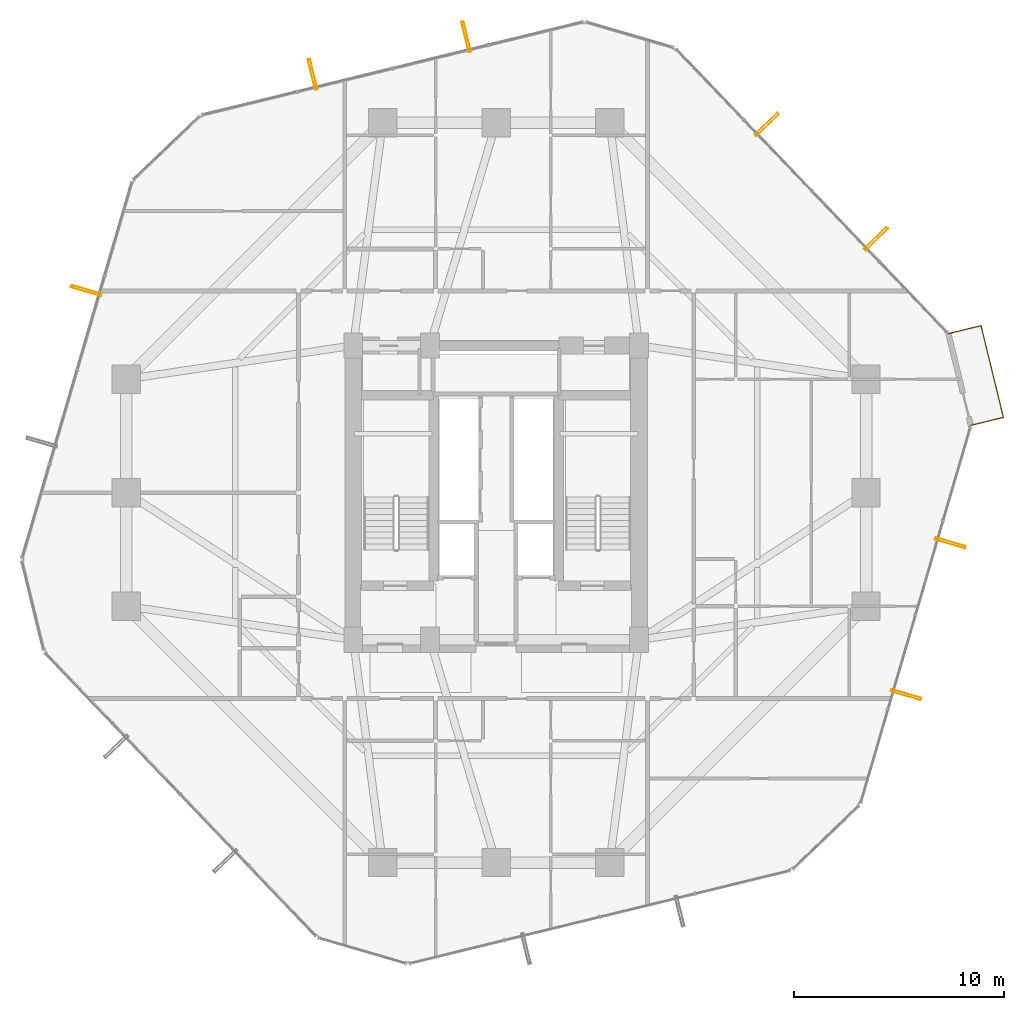
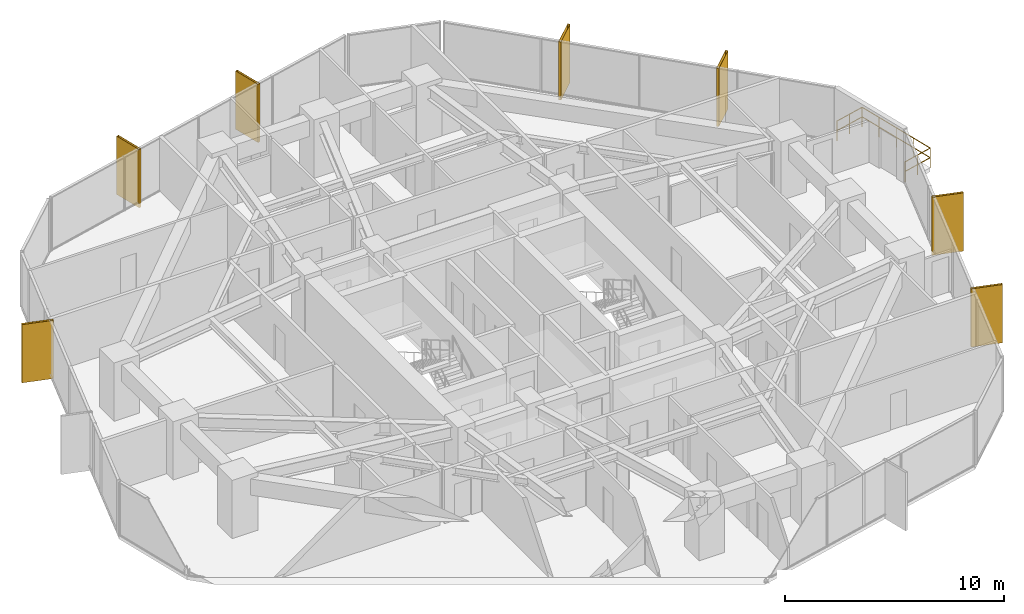
# One storey, part 37 of 37: 7 shading devices, 1 railing.
"""IFC4 building model written with IfcOpenShell, lengths in metres."""

import ifcopenshell
import ifcopenshell.guid

model = None  # the IFC model being written
_history = None  # IfcOwnerHistory: only IFC2X3 demands one
_inside = {}  # id of a spatial element -> (the spatial element, [elements in it])
_under = {}  # id of a project, library or spatial element -> (it, [spatial elements below it])
_declared = {}  # id of a project -> (the project, [libraries it declares])
_typed = {}  # id of a type object -> (the type object, [elements of that type])
_made_of = {}  # id of a material, layer set ... -> (it, [elements and type objects made of it])


def new_model(schema):
    """Start an empty IFC model of exactly this schema.

    Asked for "IFC4X3", IfcOpenShell would pick the latest addendum, in which some entities
    have other attributes; the version numbers below select the first issue.
    IFC2X3 requires an IfcOwnerHistory on every rooted entity: one is made here for all.
    """
    global model, _history
    if schema == "IFC4X3":
        model = ifcopenshell.file(schema_version=(4, 3, 0, 0))
    else:
        model = ifcopenshell.file(schema=schema)
    _inside.clear()
    _under.clear()
    _declared.clear()
    _typed.clear()
    _made_of.clear()
    _history = None
    if model.schema == "IFC2X3":
        org = make("IfcOrganization", Name="unknown")
        user = make(
            "IfcPersonAndOrganization",
            ThePerson=make("IfcPerson", FamilyName="unknown"),
            TheOrganization=org,
        )
        app = make(
            "IfcApplication",
            ApplicationDeveloper=org,
            Version="unknown",
            ApplicationFullName="unknown",
            ApplicationIdentifier="unknown",
        )
        _history = make(
            "IfcOwnerHistory",
            OwningUser=user,
            OwningApplication=app,
            ChangeAction="ADDED",
            CreationDate=0,
        )
    return model


def make(cls, **values):
    """One entity of the class cls with the attributes given. An attribute that is None is left unset."""
    return model.create_entity(
        cls, **{name: value for name, value in values.items() if value is not None}
    )


def rooted(cls, **values):
    """An entity with a GlobalId (a new one), such as an element, a storey or a relation."""
    return make(cls, GlobalId=ifcopenshell.guid.new(), OwnerHistory=_history, **values)


def si_unit(unit_type, name, prefix=None):
    """IfcSIUnit, for example si_unit("LENGTHUNIT", "METRE", prefix="MILLI")."""
    return make("IfcSIUnit", UnitType=unit_type, Prefix=prefix, Name=name)


def assignment(units):
    """IfcUnitAssignment: the units of a project."""
    return None if units is None else make("IfcUnitAssignment", Units=units)


def point(xyz):
    """IfcCartesianPoint."""
    return None if xyz is None else make("IfcCartesianPoint", Coordinates=xyz)


def direction(xyz):
    """IfcDirection."""
    return None if xyz is None else make("IfcDirection", DirectionRatios=xyz)


def frame(location, z_axis=None, x_axis=None):
    """IfcAxis2Placement3D, a coordinate frame: its origin and axes. An axis left out is left unset."""
    return make(
        "IfcAxis2Placement3D",
        Location=point(location),
        Axis=direction(z_axis),
        RefDirection=direction(x_axis),
    )


def frame_2d(location, x_axis=None):
    """IfcAxis2Placement2D, a coordinate frame in the plane: its origin and x axis."""
    return make(
        "IfcAxis2Placement2D", Location=point(location), RefDirection=direction(x_axis)
    )


def origin():
    """The frame at (0, 0, 0) with its axes left unset."""
    return frame((0.0, 0.0, 0.0))


def origin_2d():
    """The frame at (0, 0) in the plane with its x axis left unset."""
    return frame_2d((0.0, 0.0))


def place(relative_to, where):
    """IfcLocalPlacement: puts the frame where relative to a parent placement (None: the world)."""
    return make(
        "IfcLocalPlacement", PlacementRelTo=relative_to, RelativePlacement=where
    )


def context(
    kind, dimensions, precision=None, world=None, true_north=None, identifier=None
):
    """IfcGeometricRepresentationContext, for example the 3D "Model" context."""
    return make(
        "IfcGeometricRepresentationContext",
        ContextIdentifier=identifier,
        ContextType=kind,
        CoordinateSpaceDimension=dimensions,
        Precision=precision,
        WorldCoordinateSystem=world,
        TrueNorth=true_north,
    )


def subcontext(parent, identifier, kind, view, scale=None):
    """IfcGeometricRepresentationSubContext, for example "Body" below "Model"."""
    return make(
        "IfcGeometricRepresentationSubContext",
        ContextIdentifier=identifier,
        ContextType=kind,
        ParentContext=parent,
        TargetScale=scale,
        TargetView=view,
    )


def project(units=None, contexts=None):
    """IfcProject with its units and contexts."""
    return rooted(
        "IfcProject",
        Name="project",
        RepresentationContexts=contexts,
        UnitsInContext=assignment(units),
    )


def spatial(cls, under=None, at=None, **own):
    """A site, building, storey or space (cls), placed at a placement, below another one or the project."""
    s = rooted(cls, ObjectPlacement=at, **own)
    if under is not None:
        _under.setdefault(under.id(), (under, []))[1].append(s)
    return s


def profile(cls, at=None, kind="AREA", **sizes):
    """A parametric profile (cls). Its sizes go by their IFC names, for example OverallWidth=200.0."""
    return make(cls, ProfileType=kind, Position=at, **sizes)


def hollow_rectangle(**sizes):
    """IfcRectangleHollowProfileDef."""
    return profile("IfcRectangleHollowProfileDef", **sizes)


def circle(**sizes):
    """IfcCircleProfileDef."""
    return profile("IfcCircleProfileDef", **sizes)


def extrude(swept, where, along, depth):
    """IfcExtrudedAreaSolid: the profile swept, set in the frame where, extruded along a direction by depth."""
    return make(
        "IfcExtrudedAreaSolid",
        SweptArea=swept,
        Position=where,
        ExtrudedDirection=direction(along),
        Depth=depth,
    )


def shape(context_of_items, identifier, shape_type, items):
    """IfcShapeRepresentation: the items that make up one representation, for example the "Body"."""
    return make(
        "IfcShapeRepresentation",
        ContextOfItems=context_of_items,
        RepresentationIdentifier=identifier,
        RepresentationType=shape_type,
        Items=items,
    )


def material(Name=None, Category=None):
    """IfcMaterial."""
    return make("IfcMaterial", Name=Name, Category=Category)


def material_profile(
    of_material, cross_section, Name=None, Category=None, Priority=None
):
    """IfcMaterialProfile: a cross section and its material."""
    return make(
        "IfcMaterialProfile",
        Name=Name,
        Material=of_material,
        Profile=cross_section,
        Priority=Priority,
        Category=Category,
    )


def profile_set(profiles, Name=None, composite=None):
    """IfcMaterialProfileSet."""
    return make(
        "IfcMaterialProfileSet",
        Name=Name,
        MaterialProfiles=profiles,
        CompositeProfile=composite,
    )


def made_of(thing, what):
    """Note that an element or type object is made of a material, layer set ...; save() writes the relation."""
    if what is not None:
        _made_of.setdefault(what.id(), (what, []))[1].append(thing)
    return thing


def type_object(cls, material=None, **own):
    """A type object (cls), such as IfcWallType, which elements share."""
    return made_of(rooted(cls, **own), material)


def element(
    cls,
    number,
    at=None,
    inside=None,
    cuts=None,
    type_object=None,
    material=None,
    context=None,
    identifier="Body",
    shape_type=None,
    held_by="IfcProductDefinitionShape",
    body=None,
    shapes=None,
    **own,
):
    """One element of the class cls, such as IfcWall. Its Tag is "e" and its number.

    at: its placement. inside: the storey or other place that contains it. cuts: it is an
    opening in that element (IfcRelVoidsElement). A single representation is given by context,
    identifier, shape_type and body (its items); several are given by shapes. held_by: the class
    of the entity that holds the representations. save() writes the other relations.
    """
    e = rooted(cls, Tag="e%d" % number, ObjectPlacement=at, **own)
    if body is not None:
        shapes = [shape(context, identifier, shape_type, body)]
    if shapes is not None:
        e.Representation = make(held_by, Representations=shapes)
    if inside is not None:
        _inside.setdefault(inside.id(), (inside, []))[1].append(e)
    if cuts is not None:
        rooted(
            "IfcRelVoidsElement", RelatingBuildingElement=cuts, RelatedOpeningElement=e
        )
    if type_object is not None:
        _typed.setdefault(type_object.id(), (type_object, []))[1].append(e)
    return made_of(e, material)


def aggregate(whole, parts):
    """IfcRelAggregates: a whole, such as a stair, and the parts it consists of."""
    return rooted("IfcRelAggregates", RelatingObject=whole, RelatedObjects=parts)


def save(model, path):
    """Write the relations noted so far, then the file.

    IfcRelAggregates (storeys below a building ...), IfcRelContainedInSpatialStructure (elements
    in a storey), IfcRelDefinesByType, IfcRelAssociatesMaterial and IfcRelDeclares: one each for
    every whole, place, type object, material and project.
    """
    for whole, parts in _under.values():
        aggregate(whole, parts)
    for where, things in _inside.values():
        rooted(
            "IfcRelContainedInSpatialStructure",
            RelatedElements=things,
            RelatingStructure=where,
        )
    for kind, things in _typed.values():
        rooted("IfcRelDefinesByType", RelatedObjects=things, RelatingType=kind)
    for what, things in _made_of.values():
        rooted("IfcRelAssociatesMaterial", RelatedObjects=things, RelatingMaterial=what)
    for by, libraries in _declared.values():
        rooted("IfcRelDeclares", RelatingContext=by, RelatedDefinitions=libraries)
    model.write(path)


model = new_model("IFC4")

# Units and contexts
model_context = context("Model", 3, precision=1e-05, world=origin(), true_north=direction((0.0, 1.0)))
body_context = subcontext(model_context, "Body", "Model", "MODEL_VIEW")
ifc_project = project(units=[si_unit("LENGTHUNIT", "METRE"), si_unit("AREAUNIT", "SQUARE_METRE"), si_unit("VOLUMEUNIT", "CUBIC_METRE"), si_unit("PLANEANGLEUNIT", "RADIAN"), si_unit("MASSUNIT", "GRAM", prefix="KILO")], contexts=[model_context])

# Site, building, storey
site_placement = place(None, origin())
site = spatial("IfcSite", under=ifc_project, at=site_placement, CompositionType="ELEMENT")
building_placement = place(site_placement, origin())
building = spatial("IfcBuilding", under=site, at=building_placement, Name="Veraguas Prism Commons", CompositionType="ELEMENT")
storey_placement = place(building_placement, frame((0.0, 0.0, 70.60009765625)))
storey = spatial("IfcBuildingStorey", under=building, at=storey_placement, Name="L19", CompositionType="ELEMENT", Elevation=70.60009765625)

# Shading devices
ifc_material_1 = material(Name="Anodised aluminium EN AW-6063 T6", Category="aluminium")
ifc_material_profile = material_profile(ifc_material_1, hollow_rectangle(XDim=0.1201171875, YDim=1.489990234375, WallThickness=0.006103515625, at=origin_2d()), Name="FIN120X1490X6")
ifc_profile_set = profile_set([ifc_material_profile], Name="Anodised aluminium EN AW-6063 T6")
shading_device_type = type_object("IfcShadingDeviceType", Name="Deep Pale-Metal Vertical Solar Fin 120x1490", PredefinedType="USERDEFINED", material=ifc_profile_set)
for number, where, z_axis, x_axis, name in (
    (1, (42.072509765625, 36.0791015625, -0.22998046875), (0.0, 0.0, 1.0), (-0.691135993516, 0.722724732154, 0.0), "Vertical Pale-Metal Solar Fin L19-F1A"),
    (2, (36.8740234375, 41.514892578125, -0.22998046875), (0.0, 0.0, 1.0), (-0.691135993516, 0.722724732154, 0.0), "Vertical Pale-Metal Solar Fin L19-F1B"),
    (3, (22.57568359375, 45.690673828125, -0.22998046875), (0.0, 0.0, 1.0), (-0.97146556079, -0.237180657305, 0.0), "Vertical Pale-Metal Solar Fin L19-F2A"),
    (4, (15.268798828125, 43.90673828125, -0.22998046875), (0.0, 0.0, 1.0), (-0.97146556079, -0.237180657305, 0.0), "Vertical Pale-Metal Solar Fin L19-F2B"),
    (5, (4.503173828125, 33.61181640625, -0.22998046875), (0.0, 0.0, 1.0), (-0.28032998123, -0.959903693932, 0.0), "Vertical Pale-Metal Solar Fin L19-F3A"),
    (6, (43.496826171875, 14.38818359375, -0.22998046875), (0.0, 0.0, 1.0), (0.28032998123, 0.959903693932, 0.0), "Vertical Pale-Metal Solar Fin L19-F6A"),
    (7, (45.60546875, 21.608154296875, -0.22998046875), (0.0, 0.0, 1.0), (0.28032998123, 0.959903693932, 0.0), "Vertical Pale-Metal Solar Fin L19-F6B"),
):
    element("IfcShadingDevice", number, at=place(storey_placement, frame(where, z_axis=z_axis, x_axis=x_axis)), inside=storey, type_object=shading_device_type, Name=name, ObjectType="FIN", PredefinedType="USERDEFINED", context=body_context, shape_type="SweptSolid", body=[
        extrude(hollow_rectangle(XDim=0.1201171875, YDim=1.489990234375, WallThickness=0.006103515625, at=origin_2d()), origin(), (0.0, 0.0, 1.0), 3.25),
    ])

# Railing
ifc_material_2 = material(Name="Stainless steel AISI 316", Category="steel")
railing_type = type_object("IfcRailingType", Name="Loggia and Sky Pool Glazed Balustrade 1120", PredefinedType="BALUSTRADE", material=ifc_material_2)
railing_placement = place(storey_placement, frame((46.5869140625, 27.198486328125, 0.0)))
element("IfcRailing", 8, at=railing_placement, inside=storey, type_object=railing_type, Name="Recessed Corner Loggia L19-C1 Guard", PredefinedType="BALUSTRADE", context=body_context, shape_type="SweptSolid", body=[
    extrude(circle(Radius=0.02392578125, at=origin_2d()), frame((0.0, 0.0, 1.09619140625), z_axis=(0.971474050804, 0.237145880451, 0.0), x_axis=(-0.237145880451, 0.971474050804, 0.0)), (0.0, 0.0, 1.0), 1.599853515625),
    extrude(circle(Radius=0.02392578125, at=origin_2d()), frame((0.0, 0.0, 0.56005859375), z_axis=(0.971474050804, 0.237145880451, 0.0), x_axis=(-0.237145880451, 0.971474050804, 0.0)), (0.0, 0.0, 1.0), 1.599853515625),
    extrude(circle(Radius=0.02392578125, at=origin_2d()), frame((1.55419921875, 0.37939453125, 1.09619140625), z_axis=(-0.23714477049, 0.971474321755, 0.0), x_axis=(-0.971474321755, -0.23714477049, 0.0)), (0.0, 0.0, 1.0), 4.5),
    extrude(circle(Radius=0.02392578125, at=origin_2d()), frame((1.55419921875, 0.37939453125, 0.56005859375), z_axis=(-0.23714477049, 0.971474321755, 0.0), x_axis=(-0.971474321755, -0.23714477049, 0.0)), (0.0, 0.0, 1.0), 4.5),
    extrude(circle(Radius=0.02392578125, at=origin_2d()), frame((0.487060546875, 4.7509765625, 1.09619140625), z_axis=(-0.971482631039, -0.237110728543, 0.0), x_axis=(0.237110728543, -0.971482631039, 0.0)), (0.0, 0.0, 1.0), 1.60009765625),
    extrude(circle(Radius=0.02392578125, at=origin_2d()), frame((0.487060546875, 4.7509765625, 0.56005859375), z_axis=(-0.971482631039, -0.237110728543, 0.0), x_axis=(0.237110728543, -0.971482631039, 0.0)), (0.0, 0.0, 1.0), 1.60009765625),
    extrude(circle(Radius=0.02099609375, at=origin_2d()), origin(), (0.0, 0.0, 1.0), 1.072021484375),
    extrude(circle(Radius=0.02099609375, at=origin_2d()), frame((0.777099609375, 0.189697265625, 0.0)), (0.0, 0.0, 1.0), 1.072021484375),
    extrude(circle(Radius=0.02099609375, at=origin_2d()), frame((1.55419921875, 0.37939453125, 0.0)), (0.0, 0.0, 1.0), 1.072021484375),
    extrude(circle(Radius=0.02099609375, at=origin_2d()), frame((1.287353515625, 1.47216796875, 0.0)), (0.0, 0.0, 1.0), 1.072021484375),
    extrude(circle(Radius=0.02099609375, at=origin_2d()), frame((1.0205078125, 2.565185546875, 0.0)), (0.0, 0.0, 1.0), 1.072021484375),
    extrude(circle(Radius=0.02099609375, at=origin_2d()), frame((0.75390625, 3.658203125, 0.0)), (0.0, 0.0, 1.0), 1.072021484375),
    extrude(circle(Radius=0.02099609375, at=origin_2d()), frame((0.487060546875, 4.7509765625, 0.0)), (0.0, 0.0, 1.0), 1.072021484375),
    extrude(circle(Radius=0.02099609375, at=origin_2d()), frame((-0.2900390625, 4.561279296875, 0.0)), (0.0, 0.0, 1.0), 1.072021484375),
    extrude(circle(Radius=0.02099609375, at=origin_2d()), frame((-1.0673828125, 4.37158203125, 0.0)), (0.0, 0.0, 1.0), 1.072021484375),
])

save(model, "model.ifc")
